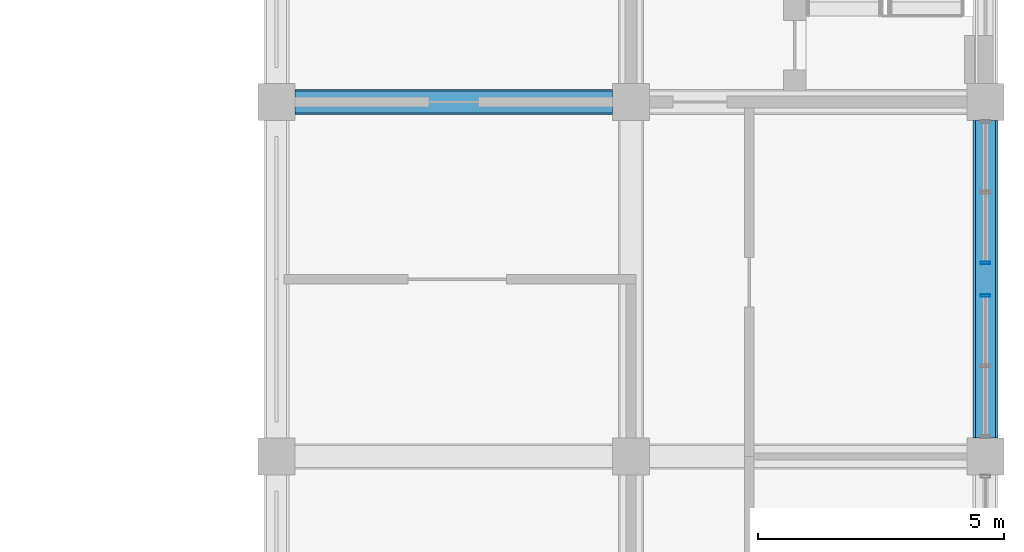
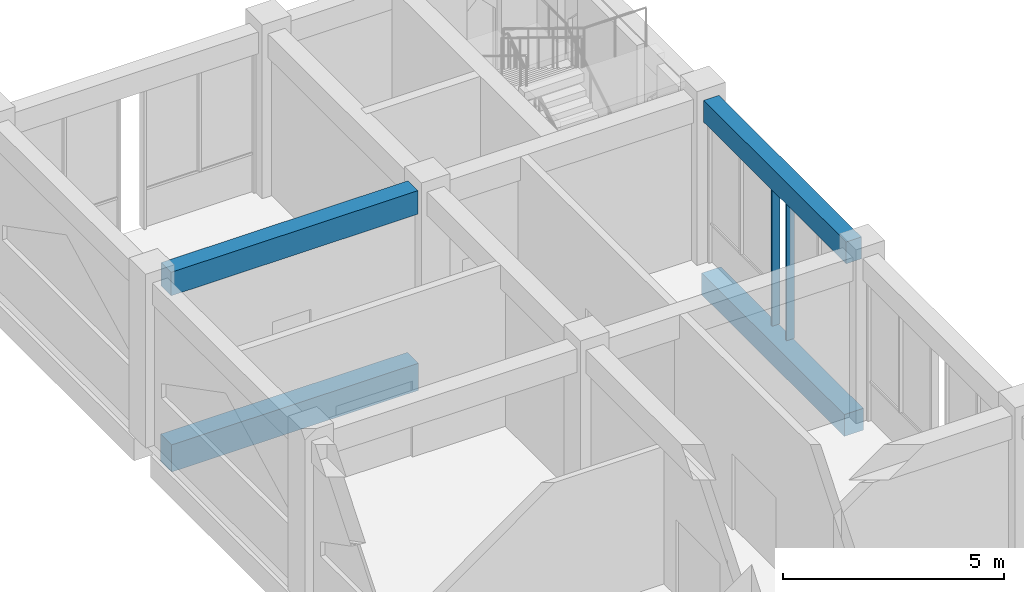
# One storey, part 21 of 39: 4 beams, 2 members, 2 elements without a shape of their own.
"""IFC4 building model written with IfcOpenShell, lengths in metres."""

from ifc_helpers import new_model, si_unit, direction, frame, origin, origin_2d, place, context, subcontext, project, spatial, rectangle, hollow_rectangle, extrude, material, material_profile, profile_set, type_object, element, aggregate, save


model = new_model("IFC4")

# Units and contexts
model_context = context("Model", 3, precision=1e-05, world=origin(), true_north=direction((0.0, 1.0)))
body_context = subcontext(model_context, "Body", "Model", "MODEL_VIEW")
ifc_project = project(units=[si_unit("LENGTHUNIT", "METRE"), si_unit("AREAUNIT", "SQUARE_METRE"), si_unit("VOLUMEUNIT", "CUBIC_METRE"), si_unit("PLANEANGLEUNIT", "RADIAN"), si_unit("MASSUNIT", "GRAM", prefix="KILO")], contexts=[model_context])

# Site, building, storey
site_placement = place(None, origin())
site = spatial("IfcSite", under=ifc_project, at=site_placement, CompositionType="ELEMENT")
building_placement = place(site_placement, origin())
building = spatial("IfcBuilding", under=site, at=building_placement, Name="Silangan Lancet Faculty of Sciences", CompositionType="ELEMENT")
storey_placement = place(building_placement, frame((0.0, 0.0, 26.39990234375)))
storey = spatial("IfcBuildingStorey", under=building, at=storey_placement, Name="L05", CompositionType="ELEMENT", Elevation=26.39990234375)

# Beams
ifc_material_1 = material(Name="Concrete C40/50", Category="concrete")
ifc_material_profile_1 = material_profile(ifc_material_1, rectangle(XDim=0.39990234375, YDim=0.60009765625, at=origin_2d()), Name="RC 400x600")
ifc_profile_set_1 = profile_set([ifc_material_profile_1], Name="Concrete C40/50")
beam_type_1 = type_object("IfcBeamType", Name="BEAM RC 400x600", PredefinedType="BEAM", material=ifc_profile_set_1)
beam_1_placement = place(storey_placement, frame((86.39990234375, 43.574951171875, 4.2001953125), z_axis=(0.0, 1.0, 0.0), x_axis=(-1.0, 0.0, 0.0)))
element("IfcBeam", 1, at=beam_1_placement, inside=storey, type_object=beam_type_1, Name="RB-L05-13G-13H", PredefinedType="BEAM", context=body_context, shape_type="SweptSolid", body=[
    extrude(rectangle(XDim=0.39990234375, YDim=0.60009765625, at=origin_2d()), origin(), (0.0, 0.0, 1.0), 6.449951171875),
])
ifc_material_2 = material(Name="Concrete C40/50", Category="concrete")
ifc_material_profile_2 = material_profile(ifc_material_2, rectangle(XDim=0.449951171875, YDim=0.64990234375, at=origin_2d()), Name="RC 450x650")
ifc_profile_set_2 = profile_set([ifc_material_profile_2], Name="Concrete C40/50")
beam_type_2 = type_object("IfcBeamType", Name="BEAM RC 450x650", PredefinedType="BEAM", material=ifc_profile_set_2)
beam_2_placement = place(storey_placement, frame((72.375, 50.39990234375, 4.175048828125), z_axis=(1.0, 0.0, 0.0), x_axis=(0.0, 1.0, 0.0)))
element("IfcBeam", 2, at=beam_2_placement, inside=storey, type_object=beam_type_2, Name="RB-L05-11H-12H", PredefinedType="BEAM", context=body_context, shape_type="SweptSolid", body=[
    extrude(rectangle(XDim=0.449951171875, YDim=0.64990234375, at=origin_2d()), origin(), (0.0, 0.0, 1.0), 6.449951171875),
])
ifc_material_3 = material(Name="Concrete C40/50", Category="concrete")
ifc_material_profile_3 = material_profile(ifc_material_3, rectangle(XDim=0.5, YDim=0.60009765625, at=origin_2d()), Name="RC 500x600")
ifc_profile_set_3 = profile_set([ifc_material_profile_3], Name="Concrete C40/50")
beam_type_3 = type_object("IfcBeamType", Name="BEAM RC 500x600", PredefinedType="BEAM", material=ifc_profile_set_3)
beam_3_placement = place(storey_placement, frame((86.39990234375, 43.574951171875, -0.5498046875), z_axis=(0.0, 1.0, 0.0), x_axis=(-1.0, 0.0, 0.0)))
element("IfcBeam", 3, at=beam_3_placement, inside=storey, type_object=beam_type_3, Name="BM-L05-13G-13H", PredefinedType="BEAM", context=body_context, shape_type="SweptSolid", body=[
    extrude(rectangle(XDim=0.5, YDim=0.60009765625, at=origin_2d()), origin(), (0.0, 0.0, 1.0), 6.449951171875),
])
ifc_material_4 = material(Name="Concrete C40/50", Category="concrete")
ifc_material_profile_4 = material_profile(ifc_material_4, rectangle(XDim=0.5, YDim=0.75, at=origin_2d()), Name="RC 500x750")
ifc_profile_set_4 = profile_set([ifc_material_profile_4], Name="Concrete C40/50")
beam_type_4 = type_object("IfcBeamType", Name="BEAM RC 500x750", PredefinedType="BEAM", material=ifc_profile_set_4)
beam_4_placement = place(storey_placement, frame((72.375, 50.39990234375, -0.625), z_axis=(1.0, 0.0, 0.0), x_axis=(0.0, 1.0, 0.0)))
element("IfcBeam", 4, at=beam_4_placement, inside=storey, type_object=beam_type_4, Name="BM-L05-11H-12H", PredefinedType="BEAM", context=body_context, shape_type="SweptSolid", body=[
    extrude(rectangle(XDim=0.5, YDim=0.75, at=origin_2d()), origin(), (0.0, 0.0, 1.0), 6.449951171875),
])

# Curtain wall, member
ifc_material_5 = material(Name="Aluminium framed curtain wall with insulated glass", Category="aluminium")
curtain_wall_type = type_object("IfcCurtainWallType", Name="CW1 Commons and east block glazing", PredefinedType="NOTDEFINED", material=ifc_material_5)
curtain_wall_1_placement = place(storey_placement, origin())
curtain_wall_1 = element("IfcCurtainWall", 5, at=curtain_wall_1_placement, inside=storey, type_object=curtain_wall_type, Name="CW1 East commons L05 bay 11", PredefinedType="NOTDEFINED")
ifc_material_6 = material(Name="Aluminium 6063-T6 extrusion", Category="aluminium")
ifc_material_profile_5 = material_profile(ifc_material_6, hollow_rectangle(XDim=0.06005859375, YDim=0.199951171875, WallThickness=0.00390625, at=origin_2d()), Name="AL BOX 60x200x4")
ifc_profile_set_5 = profile_set([ifc_material_profile_5], Name="Aluminium 6063-T6 extrusion")
member_type = type_object("IfcMemberType", Name="CM1 Mullion 60x200", PredefinedType="MULLION", material=ifc_profile_set_5)
member_1_placement = place(storey_placement, frame((86.39990234375, 46.469970703125, 0.0), z_axis=(0.0, 0.0, 1.0), x_axis=(0.0, 1.0, 0.0)))
member_1 = element("IfcMember", 6, at=member_1_placement, type_object=member_type, Name="CW1 East commons L05 bay 11 mullion 2", PredefinedType="MULLION", context=body_context, shape_type="SweptSolid", body=[
    extrude(hollow_rectangle(XDim=0.06005859375, YDim=0.199951171875, WallThickness=0.00390625, at=origin_2d()), origin(), (0.0, 0.0, 1.0), 3.900146484375),
])
aggregate(curtain_wall_1, [member_1])

curtain_wall_2_placement = place(storey_placement, origin())
curtain_wall_2 = element("IfcCurtainWall", 7, at=curtain_wall_2_placement, inside=storey, type_object=curtain_wall_type, Name="CW1 East commons L05 bay 12", PredefinedType="NOTDEFINED")
member_2_placement = place(storey_placement, frame((86.39990234375, 47.1298828125, 0.0), z_axis=(0.0, 0.0, 1.0), x_axis=(0.0, 1.0, 0.0)))
member_2 = element("IfcMember", 8, at=member_2_placement, type_object=member_type, Name="CW1 East commons L05 bay 12 mullion 1", PredefinedType="MULLION", context=body_context, shape_type="SweptSolid", body=[
    extrude(hollow_rectangle(XDim=0.06005859375, YDim=0.199951171875, WallThickness=0.00390625, at=origin_2d()), origin(), (0.0, 0.0, 1.0), 3.900146484375),
])
aggregate(curtain_wall_2, [member_2])

save(model, "model.ifc")
